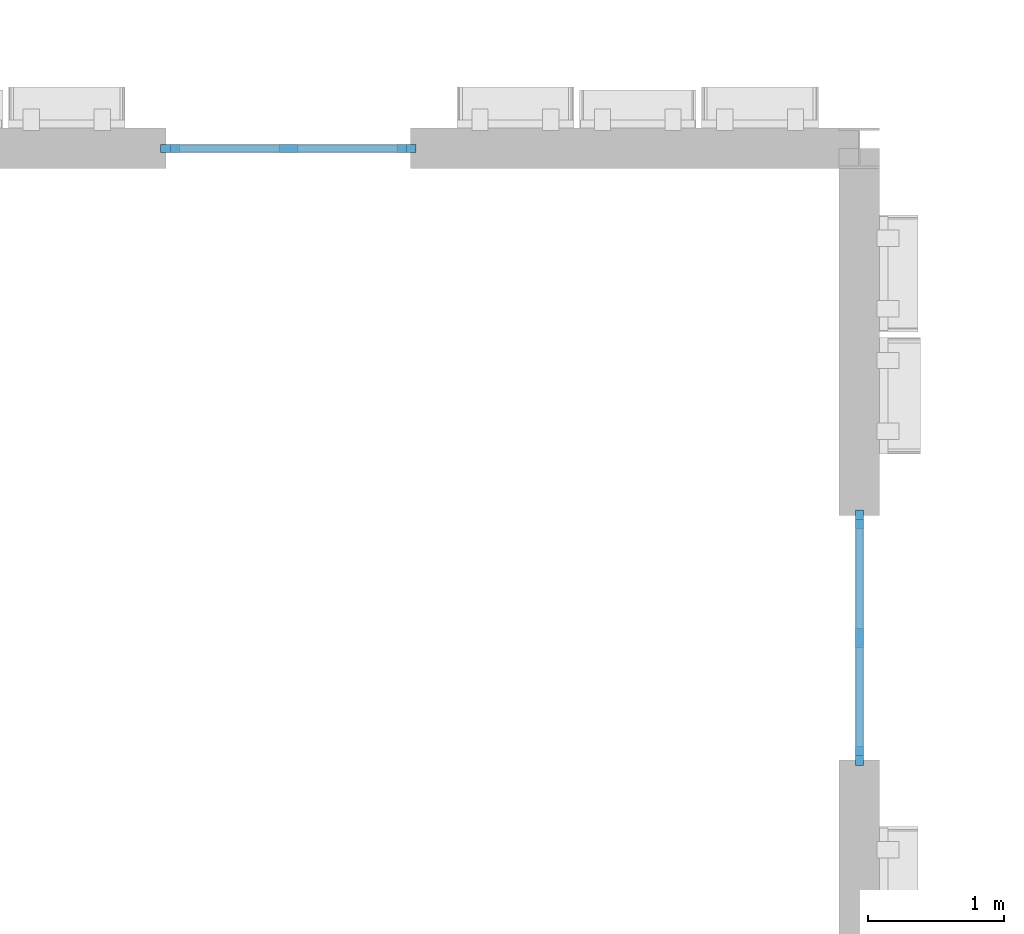
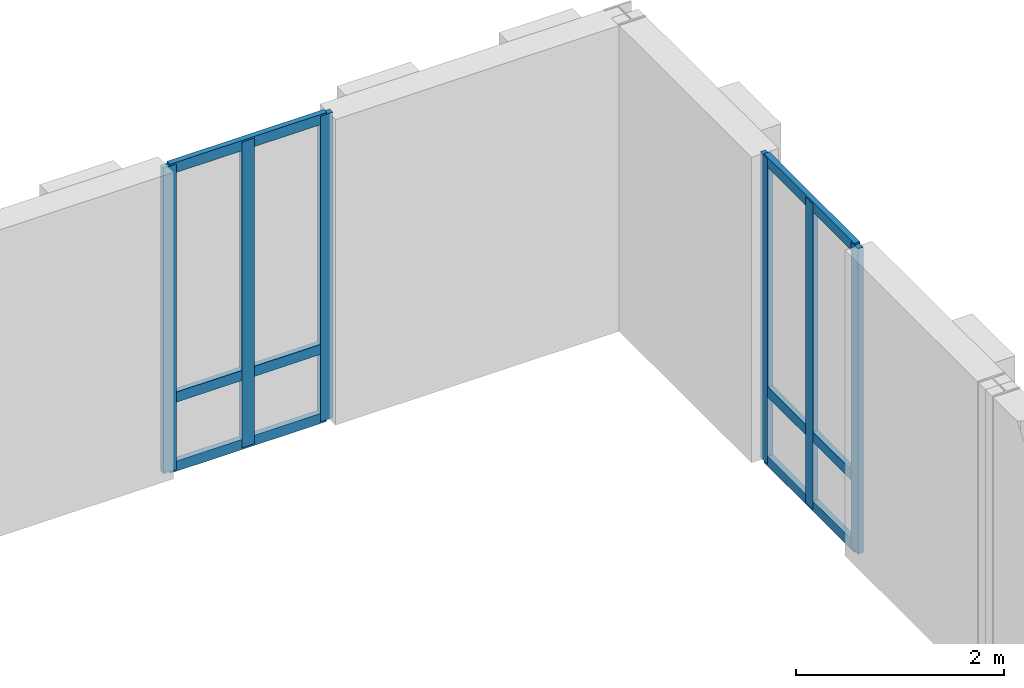
# One storey, part 10 of 57: 12 members, 2 elements without a shape of their own.
"""IFC4 building model written with IfcOpenShell, lengths in metres."""

from ifc_helpers import new_model, si_unit, direction, frame, origin, origin_2d, place, context, subcontext, project, spatial, rectangle, extrude, material, material_profile, profile_set, type_object, element, aggregate, save


model = new_model("IFC4")

# Units and contexts
model_context = context("Model", 3, precision=1e-05, world=origin(), true_north=direction((0.0, 1.0)))
body_context = subcontext(model_context, "Body", "Model", "MODEL_VIEW")
ifc_project = project(units=[si_unit("LENGTHUNIT", "METRE"), si_unit("AREAUNIT", "SQUARE_METRE"), si_unit("VOLUMEUNIT", "CUBIC_METRE"), si_unit("PLANEANGLEUNIT", "RADIAN"), si_unit("MASSUNIT", "GRAM", prefix="KILO")], contexts=[model_context])

# Site, building, storey
site_placement = place(None, origin())
site = spatial("IfcSite", under=ifc_project, at=site_placement, CompositionType="ELEMENT")
building_placement = place(site_placement, origin())
building = spatial("IfcBuilding", under=site, at=building_placement, Name="Kahlenmark Community Centre", CompositionType="ELEMENT")
storey_placement = place(building_placement, frame((0.0, 0.0, 13.800048828125)))
storey = spatial("IfcBuildingStorey", under=building, at=storey_placement, Name="L03", CompositionType="ELEMENT", Elevation=13.800048828125)

# Curtain wall, members
ifc_material_1 = material(Name="Anodised aluminium unitised curtain wall", Category="aluminium")
curtain_wall_type = type_object("IfcCurtainWallType", Name="CWT-UNIT-180X359", PredefinedType="USERDEFINED", material=ifc_material_1)
curtain_wall_1_placement = place(storey_placement, origin())
curtain_wall_1 = element("IfcCurtainWall", 1, at=curtain_wall_1_placement, inside=storey, type_object=curtain_wall_type, Name="Unitised curtain wall CW-112", ObjectType="UNITISED CURTAIN WALL", PredefinedType="USERDEFINED")
ifc_material_2 = material(Name="Anodised aluminium 6063-T6", Category="aluminium")
ifc_material_profile_1 = material_profile(ifc_material_2, rectangle(XDim=0.06005859375, YDim=0.139892578125, at=origin_2d()), Name="ALU MULLION 60x140")
ifc_profile_set_1 = profile_set([ifc_material_profile_1], Name="Anodised aluminium 6063-T6")
member_type_1 = type_object("IfcMemberType", Name="MT-MUL-140", PredefinedType="MULLION", material=ifc_profile_set_1)
member_1_placement = place(storey_placement, frame((42.669921875, 37.60009765625, 0.0), z_axis=(0.0, 0.0, 1.0), x_axis=(0.0, -1.0, 0.0)))
member_1 = element("IfcMember", 2, at=member_1_placement, type_object=member_type_1, Name="CW-112 mullion 1", PredefinedType="MULLION", context=body_context, shape_type="SweptSolid", body=[
    extrude(rectangle(XDim=0.06005859375, YDim=0.139892578125, at=origin_2d()), origin(), (0.0, 0.0, 1.0), 3.58984375),
])
member_2_placement = place(storey_placement, frame((41.800048828125, 37.60009765625, 0.0), z_axis=(0.0, 0.0, 1.0), x_axis=(0.0, -1.0, 0.0)))
member_2 = element("IfcMember", 3, at=member_2_placement, type_object=member_type_1, Name="CW-112 mullion 2", PredefinedType="MULLION", context=body_context, shape_type="SweptSolid", body=[
    extrude(rectangle(XDim=0.06005859375, YDim=0.139892578125, at=origin_2d()), origin(), (0.0, 0.0, 1.0), 3.58984375),
])
member_3_placement = place(storey_placement, frame((40.929931640625, 37.60009765625, 0.0), z_axis=(0.0, 0.0, 1.0), x_axis=(0.0, -1.0, 0.0)))
member_3 = element("IfcMember", 4, at=member_3_placement, type_object=member_type_1, Name="CW-112 mullion 3", PredefinedType="MULLION", context=body_context, shape_type="SweptSolid", body=[
    extrude(rectangle(XDim=0.06005859375, YDim=0.139892578125, at=origin_2d()), origin(), (0.0, 0.0, 1.0), 3.58984375),
])

curtain_wall_2_placement = place(storey_placement, origin())
curtain_wall_2 = element("IfcCurtainWall", 5, at=curtain_wall_2_placement, inside=storey, type_object=curtain_wall_type, Name="Unitised curtain wall CW-118", ObjectType="UNITISED CURTAIN WALL", PredefinedType="USERDEFINED")
member_4_placement = place(storey_placement, frame((46.0, 33.1298828125, 0.0), z_axis=(0.0, 0.0, 1.0), x_axis=(-1.0, 0.0, 0.0)))
member_4 = element("IfcMember", 6, at=member_4_placement, type_object=member_type_1, Name="CW-118 mullion 1", PredefinedType="MULLION", context=body_context, shape_type="SweptSolid", body=[
    extrude(rectangle(XDim=0.06005859375, YDim=0.139892578125, at=origin_2d()), origin(), (0.0, 0.0, 1.0), 3.58984375),
])
member_5_placement = place(storey_placement, frame((46.0, 34.0, 0.0), z_axis=(0.0, 0.0, 1.0), x_axis=(-1.0, 0.0, 0.0)))
member_5 = element("IfcMember", 7, at=member_5_placement, type_object=member_type_1, Name="CW-118 mullion 2", PredefinedType="MULLION", context=body_context, shape_type="SweptSolid", body=[
    extrude(rectangle(XDim=0.06005859375, YDim=0.139892578125, at=origin_2d()), origin(), (0.0, 0.0, 1.0), 3.58984375),
])
member_6_placement = place(storey_placement, frame((46.0, 34.8701171875, 0.0), z_axis=(0.0, 0.0, 1.0), x_axis=(-1.0, 0.0, 0.0)))
member_6 = element("IfcMember", 8, at=member_6_placement, type_object=member_type_1, Name="CW-118 mullion 3", PredefinedType="MULLION", context=body_context, shape_type="SweptSolid", body=[
    extrude(rectangle(XDim=0.06005859375, YDim=0.139892578125, at=origin_2d()), origin(), (0.0, 0.0, 1.0), 3.58984375),
])

# Member
ifc_material_profile_2 = material_profile(ifc_material_2, rectangle(XDim=0.06005859375, YDim=0.1201171875, at=origin_2d()), Name="ALU TRANSOM 60x120")
ifc_profile_set_2 = profile_set([ifc_material_profile_2], Name="Anodised aluminium 6063-T6")
member_type_2 = type_object("IfcMemberType", Name="MT-TRN-120", PredefinedType="USERDEFINED", material=ifc_profile_set_2)
member_7_placement = place(storey_placement, frame((42.669921875, 37.60009765625, 0.0400390625), z_axis=(-1.0, 0.0, 0.0), x_axis=(0.0, -1.0, 0.0)))
member_7 = element("IfcMember", 9, at=member_7_placement, type_object=member_type_2, Name="CW-112 transom 1", ObjectType="TRANSOM", PredefinedType="USERDEFINED", context=body_context, shape_type="SweptSolid", body=[
    extrude(rectangle(XDim=0.06005859375, YDim=0.1201171875, at=origin_2d()), origin(), (0.0, 0.0, 1.0), 1.739990234375),
])

member_8_placement = place(storey_placement, frame((42.669921875, 37.60009765625, 0.849853515625), z_axis=(-1.0, 0.0, 0.0), x_axis=(0.0, -1.0, 0.0)))
member_8 = element("IfcMember", 10, at=member_8_placement, type_object=member_type_2, Name="CW-112 transom 2", ObjectType="TRANSOM", PredefinedType="USERDEFINED", context=body_context, shape_type="SweptSolid", body=[
    extrude(rectangle(XDim=0.06005859375, YDim=0.1201171875, at=origin_2d()), origin(), (0.0, 0.0, 1.0), 1.739990234375),
])

member_9_placement = place(storey_placement, frame((42.669921875, 37.60009765625, 3.550048828125), z_axis=(-1.0, 0.0, 0.0), x_axis=(0.0, -1.0, 0.0)))
member_9 = element("IfcMember", 11, at=member_9_placement, type_object=member_type_2, Name="CW-112 transom 3", ObjectType="TRANSOM", PredefinedType="USERDEFINED", context=body_context, shape_type="SweptSolid", body=[
    extrude(rectangle(XDim=0.06005859375, YDim=0.1201171875, at=origin_2d()), origin(), (0.0, 0.0, 1.0), 1.739990234375),
])

aggregate(curtain_wall_1, [member_1, member_2, member_3, member_7, member_8, member_9])

member_10_placement = place(storey_placement, frame((46.0, 33.1298828125, 0.0400390625), z_axis=(0.0, 1.0, 0.0), x_axis=(-1.0, 0.0, 0.0)))
member_10 = element("IfcMember", 12, at=member_10_placement, type_object=member_type_2, Name="CW-118 transom 1", ObjectType="TRANSOM", PredefinedType="USERDEFINED", context=body_context, shape_type="SweptSolid", body=[
    extrude(rectangle(XDim=0.06005859375, YDim=0.1201171875, at=origin_2d()), origin(), (0.0, 0.0, 1.0), 1.740234375),
])

member_11_placement = place(storey_placement, frame((46.0, 33.1298828125, 0.849853515625), z_axis=(0.0, 1.0, 0.0), x_axis=(-1.0, 0.0, 0.0)))
member_11 = element("IfcMember", 13, at=member_11_placement, type_object=member_type_2, Name="CW-118 transom 2", ObjectType="TRANSOM", PredefinedType="USERDEFINED", context=body_context, shape_type="SweptSolid", body=[
    extrude(rectangle(XDim=0.06005859375, YDim=0.1201171875, at=origin_2d()), origin(), (0.0, 0.0, 1.0), 1.740234375),
])

member_12_placement = place(storey_placement, frame((46.0, 33.1298828125, 3.550048828125), z_axis=(0.0, 1.0, 0.0), x_axis=(-1.0, 0.0, 0.0)))
member_12 = element("IfcMember", 14, at=member_12_placement, type_object=member_type_2, Name="CW-118 transom 3", ObjectType="TRANSOM", PredefinedType="USERDEFINED", context=body_context, shape_type="SweptSolid", body=[
    extrude(rectangle(XDim=0.06005859375, YDim=0.1201171875, at=origin_2d()), origin(), (0.0, 0.0, 1.0), 1.740234375),
])

aggregate(curtain_wall_2, [member_4, member_5, member_6, member_10, member_11, member_12])

save(model, "model.ifc")
